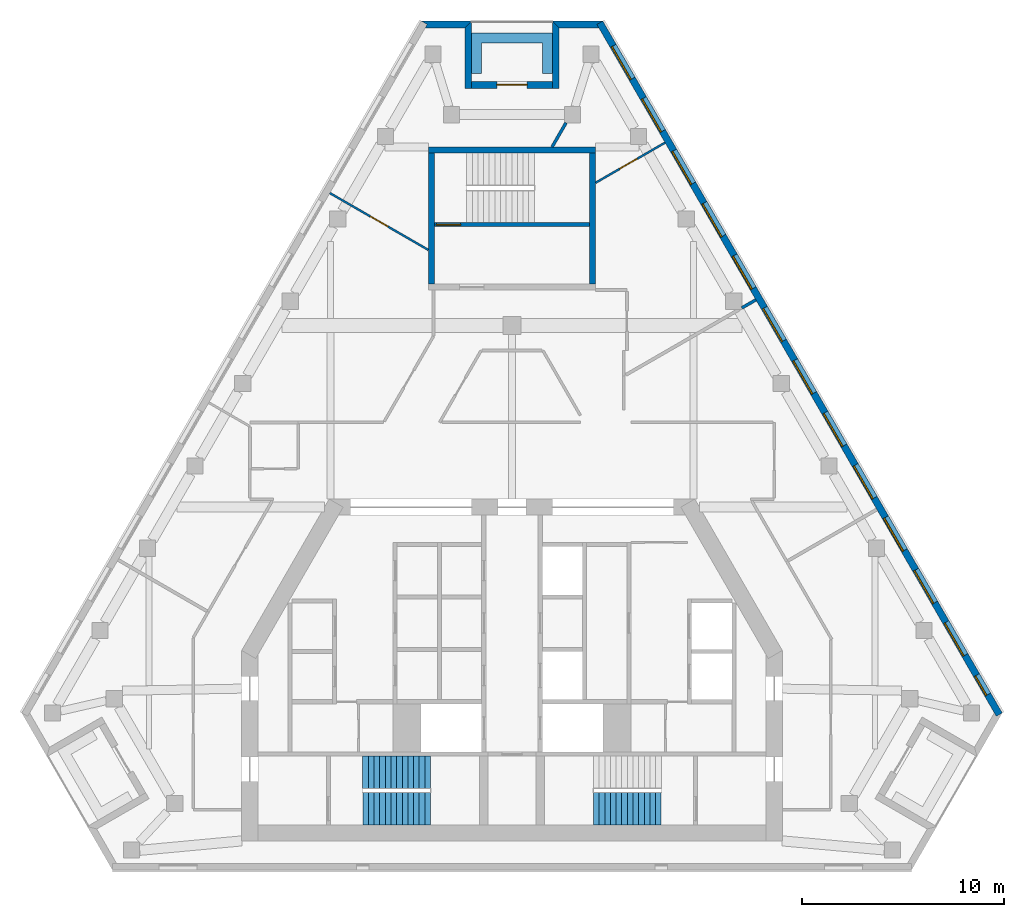
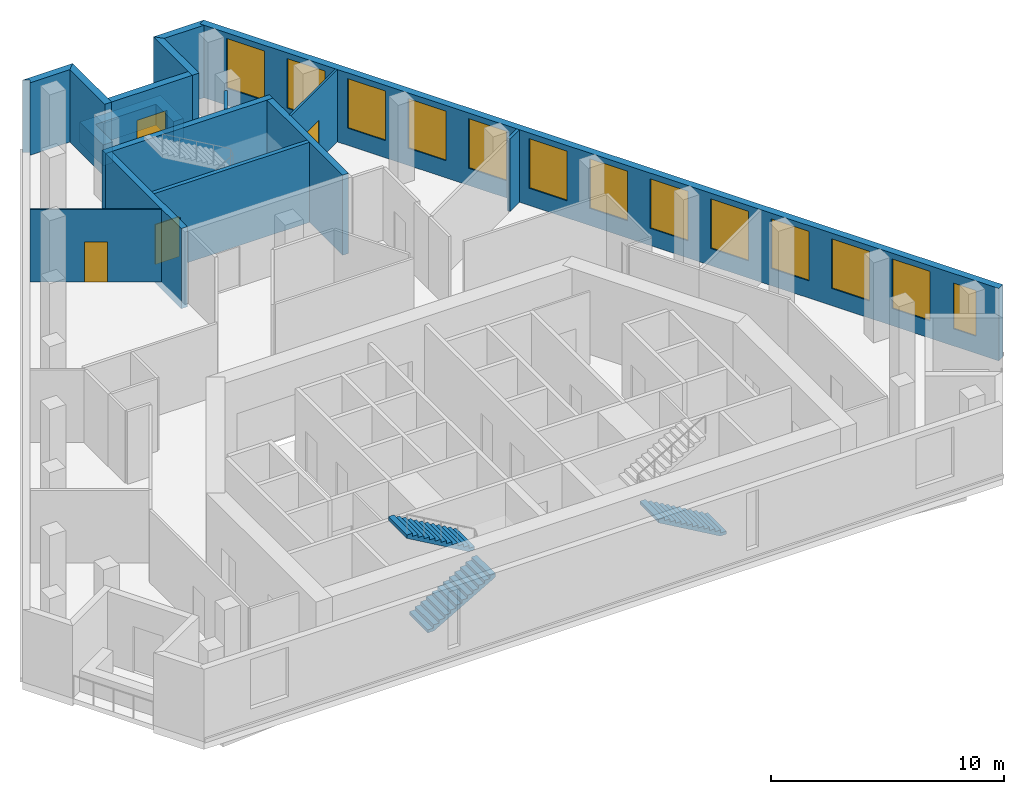
# One storey, part 6 of 8: 15 walls, 13 windows, 4 doors, 3 stair flights, 17 openings, 2 elements without a shape of their own.
"""IFC4 building model written with IfcOpenShell, lengths in metres."""

from ifc_helpers import new_model, si_unit, direction, frame, frame_2d, origin, place, context, subcontext, project, spatial, polyline, rectangle, outline, extrude, material, layer, layer_set, type_object, element, fill, aggregate, save


model = new_model("IFC4")

# Units and contexts
model_context = context("Model", 3, precision=1e-05, world=origin(), true_north=direction((0.0, 1.0)))
body_context = subcontext(model_context, "Body", "Model", "MODEL_VIEW")
ifc_project = project(units=[si_unit("LENGTHUNIT", "METRE"), si_unit("AREAUNIT", "SQUARE_METRE"), si_unit("VOLUMEUNIT", "CUBIC_METRE"), si_unit("PLANEANGLEUNIT", "RADIAN"), si_unit("MASSUNIT", "GRAM", prefix="KILO")], contexts=[model_context])

# Site, building, storey
site_placement = place(None, origin())
site = spatial("IfcSite", under=ifc_project, at=site_placement, CompositionType="ELEMENT")
building_placement = place(site_placement, origin())
building = spatial("IfcBuilding", under=site, at=building_placement, Name="Fogline Exchange Tower", CompositionType="ELEMENT")
storey_placement = place(building_placement, frame((0.0, 0.0, 322.5)))
storey = spatial("IfcBuildingStorey", under=building, at=storey_placement, Name="L73", CompositionType="ELEMENT", Elevation=322.5)

# Wall, opening, door
ifc_material_1 = material(Name="Concrete C40", Category="concrete")
ifc_layer_1 = layer(ifc_material_1, 0.199951171875)
ifc_layer_set_1 = layer_set([ifc_layer_1], Name="CW20R")
wall_type_1 = type_object("IfcWallType", Name="CW20R", PredefinedType="SOLIDWALL", material=ifc_layer_set_1)
wall_1_placement = place(storey_placement, frame((-3.85009765625, 32.007080078125, -0.39990234375), z_axis=(0.0, 0.0, 1.0), x_axis=(1.0, 0.0, 0.0)))
wall_1 = element("IfcWall", 1, at=wall_1_placement, inside=storey, type_object=wall_type_1, Name="Stair enclosure wall ST3", PredefinedType="SOLIDWALL", context=body_context, shape_type="SweptSolid", body=[
    extrude(rectangle(XDim=7.7001953125, YDim=0.199951171875, at=frame_2d((3.85009765625, 0.0))), origin(), (0.0, 0.0, 1.0), 4.199951171875),
])
opening_1_placement = place(wall_1_placement, frame((0.10009765625, 0.0, 0.39990234375)))
opening_1 = element("IfcOpeningElement", 2, at=opening_1_placement, cuts=wall_1, Name="Opening T23-C027", PredefinedType="OPENING", context=body_context, shape_type="SweptSolid", body=[
    extrude(rectangle(XDim=1.199951171875, YDim=2.10009765625, at=frame_2d((0.60009765625, 1.050048828125))), frame((0.0, 0.10986328125, 0.0), z_axis=(0.0, -1.0, 0.0), x_axis=(1.0, 0.0, 0.0)), (0.0, 0.0, 1.0), 0.219970703125),
])
ifc_material_2 = material(Name="Steel and timber fire door", Category="steel")
door_type_1 = type_object("IfcDoorType", Name="D-ST1", OperationType="SINGLE_SWING_LEFT", PredefinedType="DOOR", material=ifc_material_2)
door_1_placement = place(opening_1_placement, origin())
door_1 = element("IfcDoor", 3, at=door_1_placement, inside=storey, type_object=door_type_1, Name="Stair door ST3", OperationType="SINGLE_SWING_LEFT", OverallHeight=2.10009765625, OverallWidth=1.199951171875, PredefinedType="DOOR", context=body_context, shape_type="SweptSolid", body=[
    extrude(rectangle(XDim=1.199951171875, YDim=2.10009765625, at=frame_2d((0.60009765625, 1.050048828125))), frame((0.0, 0.02490234375, 0.0), z_axis=(0.0, -1.0, 0.0), x_axis=(1.0, 0.0, 0.0)), (0.0, 0.0, 1.0), 0.050048828125),
])
fill(opening_1, door_1)

# Walls
ifc_layer_2 = layer(ifc_material_1, 0.300048828125)
ifc_layer_set_2 = layer_set([ifc_layer_2], Name="CW30")
wall_type_2 = type_object("IfcWallType", Name="CW30", PredefinedType="SOLIDWALL", material=ifc_layer_set_2)
wall_2_placement = place(storey_placement, frame((-4.14990234375, 35.70703125, -0.39990234375), z_axis=(0.0, 0.0, 1.0), x_axis=(1.0, 0.0, 0.0)))
element("IfcWall", 4, at=wall_2_placement, inside=storey, type_object=wall_type_2, Name="Stair enclosure wall ST3", PredefinedType="SOLIDWALL", context=body_context, shape_type="SweptSolid", body=[
    extrude(rectangle(XDim=8.2998046875, YDim=0.300048828125, at=frame_2d((4.14990234375, 0.0))), origin(), (0.0, 0.0, 1.0), 4.199951171875),
])
for number, where, z_axis, x_axis, name in (
    (5, (-4.0, 29.056884765625, -0.39990234375), (0.0, 0.0, 1.0), (0.0, 1.0, 0.0), "Stair enclosure wall ST3"),
    (6, (4.0, 29.056884765625, -0.39990234375), (0.0, 0.0, 1.0), (0.0, 1.0, 0.0), "Stair enclosure wall ST3"),
):
    element("IfcWall", number, at=place(storey_placement, frame(where, z_axis=z_axis, x_axis=x_axis)), inside=storey, type_object=wall_type_2, Name=name, PredefinedType="SOLIDWALL", context=body_context, shape_type="SweptSolid", body=[
        extrude(rectangle(XDim=6.5, YDim=0.300048828125, at=frame_2d((3.25, 0.0))), origin(), (0.0, 0.0, 1.0), 4.199951171875),
    ])

# Wall, openings, windows
ifc_material_3 = material(Name="Brick masonry", Category="masonry")
ifc_layer_3 = layer(ifc_material_3, 0.340087890625)
ifc_layer_set_3 = layer_set([ifc_layer_3], Name="FW1")
wall_type_3 = type_object("IfcWallType", Name="FW1", PredefinedType="SOLIDWALL", material=ifc_layer_set_3)
wall_3_placement = place(storey_placement, frame((24.16015625, 7.709228515625, 0.0), z_axis=(0.0, 0.0, 1.0), x_axis=(-0.500000037544, 0.866025382108, 0.0)))
wall_3 = element("IfcWall", 7, at=wall_3_placement, inside=storey, type_object=wall_type_3, Name="Brick wall L73 E", PredefinedType="SOLIDWALL", context=body_context, shape_type="SweptSolid", body=[
    extrude(rectangle(XDim=39.61474609375, YDim=0.340087890625, at=frame_2d((19.807373046875, 0.0))), origin(), (0.0, 0.0, 1.0), 3.800048828125),
])
opening_2_placement = place(wall_3_placement, frame((3.40380859375, 0.0, 0.89990234375)))
opening_2 = element("IfcOpeningElement", 8, at=opening_2_placement, cuts=wall_3, Name="Opening W3", PredefinedType="OPENING", context=body_context, shape_type="SweptSolid", body=[
    extrude(rectangle(XDim=1.885009765625, YDim=2.60009765625, at=frame_2d((0.9423828125, 1.300048828125))), frame((0.0, 0.18017578125, 0.0), z_axis=(0.0, -1.0, 0.0), x_axis=(1.0, 0.0, 0.0)), (0.0, 0.0, 1.0), 0.360107421875),
])
opening_3_placement = place(wall_3_placement, frame((6.40380859375, 0.0, 0.89990234375)))
opening_3 = element("IfcOpeningElement", 9, at=opening_3_placement, cuts=wall_3, Name="Opening W3", PredefinedType="OPENING", context=body_context, shape_type="SweptSolid", body=[
    extrude(rectangle(XDim=1.885009765625, YDim=2.60009765625, at=frame_2d((0.9423828125, 1.300048828125))), frame((0.0, 0.18017578125, 0.0), z_axis=(0.0, -1.0, 0.0), x_axis=(1.0, 0.0, 0.0)), (0.0, 0.0, 1.0), 0.360107421875),
])
opening_4_placement = place(wall_3_placement, frame((9.40380859375, 0.0, 0.89990234375)))
opening_4 = element("IfcOpeningElement", 10, at=opening_4_placement, cuts=wall_3, Name="Opening W3", PredefinedType="OPENING", context=body_context, shape_type="SweptSolid", body=[
    extrude(rectangle(XDim=1.885009765625, YDim=2.60009765625, at=frame_2d((0.9423828125, 1.300048828125))), frame((0.0, 0.18017578125, 0.0), z_axis=(0.0, -1.0, 0.0), x_axis=(1.0, 0.0, 0.0)), (0.0, 0.0, 1.0), 0.360107421875),
])
opening_5_placement = place(wall_3_placement, frame((12.40380859375, 0.0, 0.89990234375)))
opening_5 = element("IfcOpeningElement", 11, at=opening_5_placement, cuts=wall_3, Name="Opening W3", PredefinedType="OPENING", context=body_context, shape_type="SweptSolid", body=[
    extrude(rectangle(XDim=1.885009765625, YDim=2.60009765625, at=frame_2d((0.9423828125, 1.300048828125))), frame((0.0, 0.18017578125, 0.0), z_axis=(0.0, -1.0, 0.0), x_axis=(1.0, 0.0, 0.0)), (0.0, 0.0, 1.0), 0.360107421875),
])
opening_6_placement = place(wall_3_placement, frame((15.40380859375, 0.0, 0.89990234375)))
opening_6 = element("IfcOpeningElement", 12, at=opening_6_placement, cuts=wall_3, Name="Opening W3", PredefinedType="OPENING", context=body_context, shape_type="SweptSolid", body=[
    extrude(rectangle(XDim=1.885009765625, YDim=2.60009765625, at=frame_2d((0.9423828125, 1.300048828125))), frame((0.0, 0.18017578125, 0.0), z_axis=(0.0, -1.0, 0.0), x_axis=(1.0, 0.0, 0.0)), (0.0, 0.0, 1.0), 0.360107421875),
])
opening_7_placement = place(wall_3_placement, frame((18.40380859375, 0.0, 0.89990234375)))
opening_7 = element("IfcOpeningElement", 13, at=opening_7_placement, cuts=wall_3, Name="Opening W3", PredefinedType="OPENING", context=body_context, shape_type="SweptSolid", body=[
    extrude(rectangle(XDim=1.885009765625, YDim=2.60009765625, at=frame_2d((0.9423828125, 1.300048828125))), frame((0.0, 0.18017578125, 0.0), z_axis=(0.0, -1.0, 0.0), x_axis=(1.0, 0.0, 0.0)), (0.0, 0.0, 1.0), 0.360107421875),
])
opening_8_placement = place(wall_3_placement, frame((21.40380859375, 0.0, 0.89990234375)))
opening_8 = element("IfcOpeningElement", 14, at=opening_8_placement, cuts=wall_3, Name="Opening W3", PredefinedType="OPENING", context=body_context, shape_type="SweptSolid", body=[
    extrude(rectangle(XDim=1.885009765625, YDim=2.60009765625, at=frame_2d((0.9423828125, 1.300048828125))), frame((0.0, 0.18017578125, 0.0), z_axis=(0.0, -1.0, 0.0), x_axis=(1.0, 0.0, 0.0)), (0.0, 0.0, 1.0), 0.360107421875),
])
opening_9_placement = place(wall_3_placement, frame((24.40380859375, 0.0, 0.89990234375)))
opening_9 = element("IfcOpeningElement", 15, at=opening_9_placement, cuts=wall_3, Name="Opening W3", PredefinedType="OPENING", context=body_context, shape_type="SweptSolid", body=[
    extrude(rectangle(XDim=1.885009765625, YDim=2.60009765625, at=frame_2d((0.9423828125, 1.300048828125))), frame((0.0, 0.18017578125, 0.0), z_axis=(0.0, -1.0, 0.0), x_axis=(1.0, 0.0, 0.0)), (0.0, 0.0, 1.0), 0.360107421875),
])
opening_10_placement = place(wall_3_placement, frame((27.40380859375, 0.0, 0.89990234375)))
opening_10 = element("IfcOpeningElement", 16, at=opening_10_placement, cuts=wall_3, Name="Opening W3", PredefinedType="OPENING", context=body_context, shape_type="SweptSolid", body=[
    extrude(rectangle(XDim=1.885009765625, YDim=2.60009765625, at=frame_2d((0.9423828125, 1.300048828125))), frame((0.0, 0.18017578125, 0.0), z_axis=(0.0, -1.0, 0.0), x_axis=(1.0, 0.0, 0.0)), (0.0, 0.0, 1.0), 0.360107421875),
])
opening_11_placement = place(wall_3_placement, frame((30.40380859375, 0.0, 0.89990234375)))
opening_11 = element("IfcOpeningElement", 17, at=opening_11_placement, cuts=wall_3, Name="Opening W3", PredefinedType="OPENING", context=body_context, shape_type="SweptSolid", body=[
    extrude(rectangle(XDim=1.885009765625, YDim=2.60009765625, at=frame_2d((0.9423828125, 1.300048828125))), frame((0.0, 0.18017578125, 0.0), z_axis=(0.0, -1.0, 0.0), x_axis=(1.0, 0.0, 0.0)), (0.0, 0.0, 1.0), 0.360107421875),
])
opening_12_placement = place(wall_3_placement, frame((33.40380859375, 0.0, 0.89990234375)))
opening_12 = element("IfcOpeningElement", 18, at=opening_12_placement, cuts=wall_3, Name="Opening W3", PredefinedType="OPENING", context=body_context, shape_type="SweptSolid", body=[
    extrude(rectangle(XDim=1.885009765625, YDim=2.60009765625, at=frame_2d((0.9423828125, 1.300048828125))), frame((0.0, 0.18017578125, 0.0), z_axis=(0.0, -1.0, 0.0), x_axis=(1.0, 0.0, 0.0)), (0.0, 0.0, 1.0), 0.360107421875),
])
opening_13_placement = place(wall_3_placement, frame((36.40380859375, 0.0, 0.89990234375)))
opening_13 = element("IfcOpeningElement", 19, at=opening_13_placement, cuts=wall_3, Name="Opening W3", PredefinedType="OPENING", context=body_context, shape_type="SweptSolid", body=[
    extrude(rectangle(XDim=1.885009765625, YDim=2.60009765625, at=frame_2d((0.9423828125, 1.300048828125))), frame((0.0, 0.18017578125, 0.0), z_axis=(0.0, -1.0, 0.0), x_axis=(1.0, 0.0, 0.0)), (0.0, 0.0, 1.0), 0.360107421875),
])
opening_14_placement = place(wall_3_placement, frame((1.144287109375, 0.0, 0.89990234375)))
opening_14 = element("IfcOpeningElement", 20, at=opening_14_placement, cuts=wall_3, Name="Opening W4", PredefinedType="OPENING", context=body_context, shape_type="SweptSolid", body=[
    extrude(rectangle(XDim=1.114990234375, YDim=2.39990234375, at=frame_2d((0.5576171875, 1.199951171875))), frame((0.0, 0.18017578125, 0.0), z_axis=(0.0, -1.0, 0.0), x_axis=(1.0, 0.0, 0.0)), (0.0, 0.0, 1.0), 0.360107421875),
])
ifc_material_4 = material(Name="Aluminium and glass", Category="aluminium")
window_type_1 = type_object("IfcWindowType", Name="W3", PartitioningType="SINGLE_PANEL", PredefinedType="WINDOW", material=ifc_material_4)
window_1_placement = place(opening_2_placement, origin())
window_1 = element("IfcWindow", 21, at=window_1_placement, inside=storey, type_object=window_type_1, Name="W3 W3", OverallHeight=2.60009765625, OverallWidth=1.885009765625, PartitioningType="SINGLE_PANEL", PredefinedType="WINDOW", context=body_context, shape_type="SweptSolid", body=[
    extrude(rectangle(XDim=1.885009765625, YDim=2.60009765625, at=frame_2d((0.9423828125, 1.300048828125))), frame((0.0, 0.110107421875, 0.0), z_axis=(0.0, -1.0, 0.0), x_axis=(1.0, 0.0, 0.0)), (0.0, 0.0, 1.0), 0.06005859375),
])
fill(opening_2, window_1)
window_2_placement = place(opening_3_placement, origin())
window_2 = element("IfcWindow", 22, at=window_2_placement, inside=storey, type_object=window_type_1, Name="W3 W3", OverallHeight=2.60009765625, OverallWidth=1.885009765625, PartitioningType="SINGLE_PANEL", PredefinedType="WINDOW", context=body_context, shape_type="SweptSolid", body=[
    extrude(rectangle(XDim=1.885009765625, YDim=2.60009765625, at=frame_2d((0.9423828125, 1.300048828125))), frame((0.0, 0.110107421875, 0.0), z_axis=(0.0, -1.0, 0.0), x_axis=(1.0, 0.0, 0.0)), (0.0, 0.0, 1.0), 0.06005859375),
])
fill(opening_3, window_2)
window_3_placement = place(opening_4_placement, origin())
window_3 = element("IfcWindow", 23, at=window_3_placement, inside=storey, type_object=window_type_1, Name="W3 W3", OverallHeight=2.60009765625, OverallWidth=1.885009765625, PartitioningType="SINGLE_PANEL", PredefinedType="WINDOW", context=body_context, shape_type="SweptSolid", body=[
    extrude(rectangle(XDim=1.885009765625, YDim=2.60009765625, at=frame_2d((0.9423828125, 1.300048828125))), frame((0.0, 0.110107421875, 0.0), z_axis=(0.0, -1.0, 0.0), x_axis=(1.0, 0.0, 0.0)), (0.0, 0.0, 1.0), 0.06005859375),
])
fill(opening_4, window_3)
window_4_placement = place(opening_5_placement, origin())
window_4 = element("IfcWindow", 24, at=window_4_placement, inside=storey, type_object=window_type_1, Name="W3 W3", OverallHeight=2.60009765625, OverallWidth=1.885009765625, PartitioningType="SINGLE_PANEL", PredefinedType="WINDOW", context=body_context, shape_type="SweptSolid", body=[
    extrude(rectangle(XDim=1.885009765625, YDim=2.60009765625, at=frame_2d((0.9423828125, 1.300048828125))), frame((0.0, 0.110107421875, 0.0), z_axis=(0.0, -1.0, 0.0), x_axis=(1.0, 0.0, 0.0)), (0.0, 0.0, 1.0), 0.06005859375),
])
fill(opening_5, window_4)
window_5_placement = place(opening_6_placement, origin())
window_5 = element("IfcWindow", 25, at=window_5_placement, inside=storey, type_object=window_type_1, Name="W3 W3", OverallHeight=2.60009765625, OverallWidth=1.885009765625, PartitioningType="SINGLE_PANEL", PredefinedType="WINDOW", context=body_context, shape_type="SweptSolid", body=[
    extrude(rectangle(XDim=1.885009765625, YDim=2.60009765625, at=frame_2d((0.9423828125, 1.300048828125))), frame((0.0, 0.110107421875, 0.0), z_axis=(0.0, -1.0, 0.0), x_axis=(1.0, 0.0, 0.0)), (0.0, 0.0, 1.0), 0.06005859375),
])
fill(opening_6, window_5)
window_6_placement = place(opening_7_placement, origin())
window_6 = element("IfcWindow", 26, at=window_6_placement, inside=storey, type_object=window_type_1, Name="W3 W3", OverallHeight=2.60009765625, OverallWidth=1.885009765625, PartitioningType="SINGLE_PANEL", PredefinedType="WINDOW", context=body_context, shape_type="SweptSolid", body=[
    extrude(rectangle(XDim=1.885009765625, YDim=2.60009765625, at=frame_2d((0.9423828125, 1.300048828125))), frame((0.0, 0.110107421875, 0.0), z_axis=(0.0, -1.0, 0.0), x_axis=(1.0, 0.0, 0.0)), (0.0, 0.0, 1.0), 0.06005859375),
])
fill(opening_7, window_6)
window_7_placement = place(opening_8_placement, origin())
window_7 = element("IfcWindow", 27, at=window_7_placement, inside=storey, type_object=window_type_1, Name="W3 W3", OverallHeight=2.60009765625, OverallWidth=1.885009765625, PartitioningType="SINGLE_PANEL", PredefinedType="WINDOW", context=body_context, shape_type="SweptSolid", body=[
    extrude(rectangle(XDim=1.885009765625, YDim=2.60009765625, at=frame_2d((0.9423828125, 1.300048828125))), frame((0.0, 0.110107421875, 0.0), z_axis=(0.0, -1.0, 0.0), x_axis=(1.0, 0.0, 0.0)), (0.0, 0.0, 1.0), 0.06005859375),
])
fill(opening_8, window_7)
window_8_placement = place(opening_9_placement, origin())
window_8 = element("IfcWindow", 28, at=window_8_placement, inside=storey, type_object=window_type_1, Name="W3 W3", OverallHeight=2.60009765625, OverallWidth=1.885009765625, PartitioningType="SINGLE_PANEL", PredefinedType="WINDOW", context=body_context, shape_type="SweptSolid", body=[
    extrude(rectangle(XDim=1.885009765625, YDim=2.60009765625, at=frame_2d((0.9423828125, 1.300048828125))), frame((0.0, 0.110107421875, 0.0), z_axis=(0.0, -1.0, 0.0), x_axis=(1.0, 0.0, 0.0)), (0.0, 0.0, 1.0), 0.06005859375),
])
fill(opening_9, window_8)
window_9_placement = place(opening_10_placement, origin())
window_9 = element("IfcWindow", 29, at=window_9_placement, inside=storey, type_object=window_type_1, Name="W3 W3", OverallHeight=2.60009765625, OverallWidth=1.885009765625, PartitioningType="SINGLE_PANEL", PredefinedType="WINDOW", context=body_context, shape_type="SweptSolid", body=[
    extrude(rectangle(XDim=1.885009765625, YDim=2.60009765625, at=frame_2d((0.9423828125, 1.300048828125))), frame((0.0, 0.110107421875, 0.0), z_axis=(0.0, -1.0, 0.0), x_axis=(1.0, 0.0, 0.0)), (0.0, 0.0, 1.0), 0.06005859375),
])
fill(opening_10, window_9)
window_10_placement = place(opening_11_placement, origin())
window_10 = element("IfcWindow", 30, at=window_10_placement, inside=storey, type_object=window_type_1, Name="W3 W3", OverallHeight=2.60009765625, OverallWidth=1.885009765625, PartitioningType="SINGLE_PANEL", PredefinedType="WINDOW", context=body_context, shape_type="SweptSolid", body=[
    extrude(rectangle(XDim=1.885009765625, YDim=2.60009765625, at=frame_2d((0.9423828125, 1.300048828125))), frame((0.0, 0.110107421875, 0.0), z_axis=(0.0, -1.0, 0.0), x_axis=(1.0, 0.0, 0.0)), (0.0, 0.0, 1.0), 0.06005859375),
])
fill(opening_11, window_10)
window_11_placement = place(opening_12_placement, origin())
window_11 = element("IfcWindow", 31, at=window_11_placement, inside=storey, type_object=window_type_1, Name="W3 W3", OverallHeight=2.60009765625, OverallWidth=1.885009765625, PartitioningType="SINGLE_PANEL", PredefinedType="WINDOW", context=body_context, shape_type="SweptSolid", body=[
    extrude(rectangle(XDim=1.885009765625, YDim=2.60009765625, at=frame_2d((0.9423828125, 1.300048828125))), frame((0.0, 0.110107421875, 0.0), z_axis=(0.0, -1.0, 0.0), x_axis=(1.0, 0.0, 0.0)), (0.0, 0.0, 1.0), 0.06005859375),
])
fill(opening_12, window_11)
window_12_placement = place(opening_13_placement, origin())
window_12 = element("IfcWindow", 32, at=window_12_placement, inside=storey, type_object=window_type_1, Name="W3 W3", OverallHeight=2.60009765625, OverallWidth=1.885009765625, PartitioningType="SINGLE_PANEL", PredefinedType="WINDOW", context=body_context, shape_type="SweptSolid", body=[
    extrude(rectangle(XDim=1.885009765625, YDim=2.60009765625, at=frame_2d((0.9423828125, 1.300048828125))), frame((0.0, 0.110107421875, 0.0), z_axis=(0.0, -1.0, 0.0), x_axis=(1.0, 0.0, 0.0)), (0.0, 0.0, 1.0), 0.06005859375),
])
fill(opening_13, window_12)
window_type_2 = type_object("IfcWindowType", Name="W4", PartitioningType="SINGLE_PANEL", PredefinedType="WINDOW", material=ifc_material_4)
window_13_placement = place(opening_14_placement, origin())
window_13 = element("IfcWindow", 33, at=window_13_placement, inside=storey, type_object=window_type_2, Name="W4 W4", OverallHeight=2.39990234375, OverallWidth=1.114990234375, PartitioningType="SINGLE_PANEL", PredefinedType="WINDOW", context=body_context, shape_type="SweptSolid", body=[
    extrude(rectangle(XDim=1.114990234375, YDim=2.39990234375, at=frame_2d((0.5576171875, 1.199951171875))), frame((0.0, 0.110107421875, 0.0), z_axis=(0.0, -1.0, 0.0), x_axis=(1.0, 0.0, 0.0)), (0.0, 0.0, 1.0), 0.06005859375),
])
fill(opening_14, window_13)

# Walls
wall_4_placement = place(storey_placement, origin())
element("IfcWall", 34, at=wall_4_placement, inside=storey, type_object=wall_type_3, Name="Brick wall L73 N-c1", PredefinedType="SOLIDWALL", context=body_context, shape_type="SweptSolid", body=[
    extrude(outline(polyline([(1.9990234375, 42.102294921875), (4.5009765625, 42.102294921875), (4.501220703125, 42.1015625), (4.206298828125, 41.931396484375), (4.3046875, 41.760986328125), (2.33984375, 41.760986328125), (1.998779296875, 42.10205078125), (1.9990234375, 42.102294921875)])), origin(), (0.0, 0.0, 1.0), 3.800048828125),
])
wall_5_placement = place(storey_placement, origin())
element("IfcWall", 35, at=wall_5_placement, inside=storey, type_object=wall_type_3, Name="Brick wall L73 N-s1", PredefinedType="SOLIDWALL", context=body_context, shape_type="SweptSolid", body=[
    extrude(outline(polyline([(2.340576171875, 38.760986328125), (1.99951171875, 38.760986328125), (1.99951171875, 42.102783203125), (1.999755859375, 42.102783203125), (2.340576171875, 41.761962890625), (2.340576171875, 38.760986328125)])), origin(), (0.0, 0.0, 1.0), 3.800048828125),
])

# Wall, opening, door
wall_6_placement = place(storey_placement, frame((2.0, 38.931640625, 0.0), z_axis=(0.0, 0.0, 1.0), x_axis=(-1.0, 0.0, 0.0)))
wall_6 = element("IfcWall", 36, at=wall_6_placement, inside=storey, type_object=wall_type_3, Name="Brick wall L73 N-bk", PredefinedType="SOLIDWALL", context=body_context, shape_type="SweptSolid", body=[
    extrude(rectangle(XDim=4.0, YDim=0.340087890625, at=frame_2d((2.0, 0.0))), origin(), (0.0, 0.0, 1.0), 3.800048828125),
])
opening_15_placement = place(wall_6_placement, frame((1.25, 0.0, 0.0)))
opening_15 = element("IfcOpeningElement", 37, at=opening_15_placement, cuts=wall_6, Name="Opening T23-E141", PredefinedType="OPENING", context=body_context, shape_type="SweptSolid", body=[
    extrude(rectangle(XDim=1.5, YDim=2.39990234375, at=frame_2d((0.75, 1.199951171875))), frame((0.0, 0.18017578125, 0.0), z_axis=(0.0, -1.0, 0.0), x_axis=(1.0, 0.0, 0.0)), (0.0, 0.0, 1.0), 0.360107421875),
])
door_type_2 = type_object("IfcDoorType", Name="ED4", OperationType="SINGLE_SWING_LEFT", PredefinedType="DOOR", material=ifc_material_4)
door_2_placement = place(opening_15_placement, frame((1.5, 0.0, 0.0), z_axis=(0.0, 0.0, 1.0), x_axis=(-1.0, 0.0, 0.0)))
door_2 = element("IfcDoor", 38, at=door_2_placement, inside=storey, type_object=door_type_2, Name="Balcony door L73 N", OperationType="DOUBLE_DOOR_SINGLE_SWING", OverallHeight=2.39990234375, OverallWidth=1.5, PredefinedType="DOOR", context=body_context, shape_type="SweptSolid", body=[
    extrude(rectangle(XDim=1.5, YDim=2.39990234375, at=frame_2d((0.75, 1.199951171875))), frame((0.0, 0.02490234375, 0.0), z_axis=(0.0, -1.0, 0.0), x_axis=(1.0, 0.0, 0.0)), (0.0, 0.0, 1.0), 0.050048828125),
])
fill(opening_15, door_2)

# Walls
wall_7_placement = place(storey_placement, origin())
element("IfcWall", 39, at=wall_7_placement, inside=storey, type_object=wall_type_3, Name="Brick wall L73 N-s2", PredefinedType="SOLIDWALL", context=body_context, shape_type="SweptSolid", body=[
    extrude(outline(polyline([(-1.99951171875, 42.102783203125), (-1.99951171875, 38.760986328125), (-2.340576171875, 38.760986328125), (-2.340576171875, 41.761962890625), (-1.999755859375, 42.102783203125), (-1.99951171875, 42.102783203125)])), origin(), (0.0, 0.0, 1.0), 3.800048828125),
])
wall_8_placement = place(storey_placement, origin())
element("IfcWall", 40, at=wall_8_placement, inside=storey, type_object=wall_type_3, Name="Brick wall L73 N-c2", PredefinedType="SOLIDWALL", context=body_context, shape_type="SweptSolid", body=[
    extrude(outline(polyline([(-4.3046875, 41.760986328125), (-4.206298828125, 41.931396484375), (-4.501220703125, 42.1015625), (-4.5009765625, 42.102294921875), (-1.9990234375, 42.102294921875), (-1.998779296875, 42.10205078125), (-2.33984375, 41.760986328125), (-4.3046875, 41.760986328125)])), origin(), (0.0, 0.0, 1.0), 3.800048828125),
])
ifc_material_5 = material(Name="Concrete C30", Category="concrete")
ifc_layer_4 = layer(ifc_material_5, 0.199951171875)
ifc_layer_set_4 = layer_set([ifc_layer_4], Name="PL1")
wall_type_4 = type_object("IfcWallType", Name="PL1", PredefinedType="USERDEFINED", material=ifc_layer_set_4)
wall_9_placement = place(storey_placement, origin())
element("IfcWall", 41, at=wall_9_placement, inside=storey, type_object=wall_type_4, Name="PLANTER balcony L73 N", ObjectType="PLANTER", PredefinedType="USERDEFINED", context=body_context, shape_type="SweptSolid", body=[
    extrude(outline(polyline([(-1.5, 41.501708984375), (-2.0, 41.501708984375), (-2.0, 41.001708984375), (-2.0, 39.501708984375), (-1.5, 39.501708984375), (-1.5, 41.001708984375), (1.5, 41.001708984375), (1.5, 39.501708984375), (2.0, 39.501708984375), (2.0, 41.001708984375), (2.0, 41.501708984375), (1.5, 41.501708984375), (-1.5, 41.501708984375)])), origin(), (0.0, 0.0, 1.0), 1.10009765625),
])

# Wall, opening, door
ifc_material_6 = material(Name="Plasterboard partition, 2 layers each side on steel studs", Category="steel")
ifc_layer_5 = layer(ifc_material_6, 0.10009765625)
ifc_layer_set_5 = layer_set([ifc_layer_5], Name="PW1")
wall_type_5 = type_object("IfcWallType", Name="PW1", PredefinedType="PARTITIONING", material=ifc_layer_set_5)
wall_10_placement = place(storey_placement, frame((4.14990234375, 34.083984375, 0.0), z_axis=(0.0, 0.0, 1.0), x_axis=(0.86604843292, 0.499960110246, 0.0)))
wall_10 = element("IfcWall", 42, at=wall_10_placement, inside=storey, type_object=wall_type_5, Name="wall-L73-W030", PredefinedType="PARTITIONING", context=body_context, shape_type="SweptSolid", body=[
    extrude(rectangle(XDim=3.971923828125, YDim=0.10009765625, at=frame_2d((1.98583984375, 0.0))), origin(), (0.0, 0.0, 1.0), 3.800048828125),
])
opening_16_placement = place(wall_10_placement, frame((1.37353515625, 0.0, 0.0)))
opening_16 = element("IfcOpeningElement", 43, at=opening_16_placement, cuts=wall_10, Name="Opening T23-D009", PredefinedType="OPENING", context=body_context, shape_type="SweptSolid", body=[
    extrude(rectangle(XDim=1.0, YDim=2.10009765625, at=frame_2d((0.5, 1.050048828125))), frame((0.0, 0.06005859375, 0.0), z_axis=(0.0, -1.0, 0.0), x_axis=(1.0, 0.0, 0.0)), (0.0, 0.0, 1.0), 0.1201171875),
])
ifc_material_7 = material(Name="Timber door leaf with steel frame", Category="steel")
door_type_3 = type_object("IfcDoorType", Name="D1", OperationType="SINGLE_SWING_LEFT", PredefinedType="DOOR", material=ifc_material_7)
door_3_placement = place(opening_16_placement, origin())
door_3 = element("IfcDoor", 44, at=door_3_placement, inside=storey, type_object=door_type_3, Name="door-L73-D009", OperationType="SINGLE_SWING_LEFT", OverallHeight=2.10009765625, OverallWidth=1.0, PredefinedType="DOOR", context=body_context, shape_type="SweptSolid", body=[
    extrude(rectangle(XDim=1.0, YDim=2.10009765625, at=frame_2d((0.5, 1.050048828125))), frame((0.0, 0.02490234375, 0.0), z_axis=(0.0, -1.0, 0.0), x_axis=(1.0, 0.0, 0.0)), (0.0, 0.0, 1.0), 0.050048828125),
])
fill(opening_16, door_3)

wall_11_placement = place(storey_placement, frame((-4.14990234375, 30.752685546875, 0.0), z_axis=(0.0, 0.0, 1.0), x_axis=(-0.866052180338, 0.499953618781, 0.0)))
wall_11 = element("IfcWall", 45, at=wall_11_placement, inside=storey, type_object=wall_type_5, Name="wall-L73-W032", PredefinedType="PARTITIONING", context=body_context, shape_type="SweptSolid", body=[
    extrude(rectangle(XDim=5.6376953125, YDim=0.10009765625, at=frame_2d((2.81884765625, 0.0))), origin(), (0.0, 0.0, 1.0), 3.800048828125),
])
opening_17_placement = place(wall_11_placement, frame((2.31884765625, 0.0, 0.0)))
opening_17 = element("IfcOpeningElement", 46, at=opening_17_placement, cuts=wall_11, Name="Opening T23-D010", PredefinedType="OPENING", context=body_context, shape_type="SweptSolid", body=[
    extrude(rectangle(XDim=1.0, YDim=2.10009765625, at=frame_2d((0.5, 1.050048828125))), frame((0.0, 0.06005859375, 0.0), z_axis=(0.0, -1.0, 0.0), x_axis=(1.0, 0.0, 0.0)), (0.0, 0.0, 1.0), 0.1201171875),
])
door_4_placement = place(opening_17_placement, frame((1.0, 0.0, 0.0), z_axis=(0.0, 0.0, 1.0), x_axis=(-1.0, 0.0, 0.0)))
door_4 = element("IfcDoor", 47, at=door_4_placement, inside=storey, type_object=door_type_3, Name="door-L73-D010", OperationType="SINGLE_SWING_RIGHT", OverallHeight=2.10009765625, OverallWidth=1.0, PredefinedType="DOOR", context=body_context, shape_type="SweptSolid", body=[
    extrude(rectangle(XDim=1.0, YDim=2.10009765625, at=frame_2d((0.5, 1.050048828125))), frame((0.0, 0.02490234375, 0.0), z_axis=(0.0, -1.0, 0.0), x_axis=(1.0, 0.0, 0.0)), (0.0, 0.0, 1.0), 0.050048828125),
])
fill(opening_17, door_4)

# Walls
ifc_material_8 = material(Name="Plasterboard demising partition with mineral wool and acoustic board")
ifc_layer_6 = layer(ifc_material_8, 0.14990234375)
ifc_layer_set_6 = layer_set([ifc_layer_6], Name="PW3")
wall_type_6 = type_object("IfcWallType", Name="PW3", PredefinedType="PARTITIONING", material=ifc_layer_set_6)
wall_12_placement = place(storey_placement, frame((11.394287109375, 27.8740234375, 0.0), z_axis=(0.0, 0.0, 1.0), x_axis=(0.866008413041, 0.500029427677, 0.0)))
element("IfcWall", 48, at=wall_12_placement, inside=storey, type_object=wall_type_6, Name="wall-L73-W028", PredefinedType="PARTITIONING", context=body_context, shape_type="SweptSolid", body=[
    extrude(rectangle(XDim=0.80322265625, YDim=0.14990234375, at=frame_2d((0.401611328125, 0.0))), origin(), (0.0, 0.0, 1.0), 3.800048828125),
])
wall_13_placement = place(storey_placement, frame((1.98681640625, 35.85693359375, 0.0), z_axis=(0.0, 0.0, 1.0), x_axis=(0.499986884831, 0.866032975699, 0.0)))
element("IfcWall", 49, at=wall_13_placement, inside=storey, type_object=wall_type_6, Name="wall-L73-W031", PredefinedType="PARTITIONING", context=body_context, shape_type="SweptSolid", body=[
    extrude(rectangle(XDim=1.38525390625, YDim=0.14990234375, at=frame_2d((0.692626953125, 0.0))), origin(), (0.0, 0.0, 1.0), 3.800048828125),
])

# Stair, stair flights
stair_type = type_object("IfcStairType", Name="STR26-1615", PredefinedType="HALF_TURN_STAIR", material=ifc_material_1)
stair_1_placement = place(storey_placement, origin())
stair_1 = element("IfcStair", 50, at=stair_1_placement, inside=storey, type_object=stair_type, Name="Stair ST1", PredefinedType="HALF_TURN_STAIR")
stair_flight_type = type_object("IfcStairFlightType", Name="SF13-1615", PredefinedType="STRAIGHT", material=ifc_material_1)
stair_flight_1_placement = place(storey_placement, frame((-7.39990234375, 3.050048828125, 0.0), z_axis=(0.0, 0.0, 1.0), x_axis=(1.0, 0.0, 0.0)))
stair_flight_1 = element("IfcStairFlight", 51, at=stair_flight_1_placement, type_object=stair_flight_type, Name="ST1 flight 1", NumberOfRisers=13, NumberOfTreads=12, PredefinedType="STRAIGHT", RiserHeight=0.161538462, TreadLength=0.28, context=body_context, shape_type="SweptSolid", body=[
    extrude(outline(polyline([(0.0, 0.0), (0.0, 0.16162109375), (0.280029296875, 0.16162109375), (0.280029296875, 0.322998046875), (0.56005859375, 0.322998046875), (0.56005859375, 0.484619140625), (0.840087890625, 0.484619140625), (0.840087890625, 0.646240234375), (1.1201171875, 0.646240234375), (1.1201171875, 0.8076171875), (1.39990234375, 0.8076171875), (1.39990234375, 0.96923828125), (1.679931640625, 0.96923828125), (1.679931640625, 1.130859375), (1.9599609375, 1.130859375), (1.9599609375, 1.292236328125), (2.239990234375, 1.292236328125), (2.239990234375, 1.453857421875), (2.52001953125, 1.453857421875), (2.52001953125, 1.615478515625), (2.800048828125, 1.615478515625), (2.800048828125, 1.77685546875), (3.080078125, 1.77685546875), (3.080078125, 1.9384765625), (3.360107421875, 1.9384765625), (3.360107421875, 2.10009765625), (3.360107421875, 1.765380859375), (0.300048828125, 0.0), (0.0, 0.0)])), frame((0.0, 0.800048828125, 0.0), z_axis=(0.0, -1.0, 0.0), x_axis=(1.0, 0.0, 0.0)), (0.0, 0.0, 1.0), 1.60009765625),
])
stair_flight_2_placement = place(storey_placement, frame((-4.0400390625, 4.85009765625, 2.10009765625), z_axis=(0.0, 0.0, 1.0), x_axis=(-1.0, 0.0, 0.0)))
stair_flight_2 = element("IfcStairFlight", 52, at=stair_flight_2_placement, type_object=stair_flight_type, Name="ST1 flight 2", NumberOfRisers=13, NumberOfTreads=12, PredefinedType="STRAIGHT", RiserHeight=0.161538462, TreadLength=0.28, context=body_context, shape_type="SweptSolid", body=[
    extrude(outline(polyline([(0.0, 0.0), (0.0, 0.16162109375), (0.280029296875, 0.16162109375), (0.280029296875, 0.322998046875), (0.56005859375, 0.322998046875), (0.56005859375, 0.484619140625), (0.840087890625, 0.484619140625), (0.840087890625, 0.646240234375), (1.1201171875, 0.646240234375), (1.1201171875, 0.8076171875), (1.39990234375, 0.8076171875), (1.39990234375, 0.96923828125), (1.679931640625, 0.96923828125), (1.679931640625, 1.130859375), (1.9599609375, 1.130859375), (1.9599609375, 1.292236328125), (2.239990234375, 1.292236328125), (2.239990234375, 1.453857421875), (2.52001953125, 1.453857421875), (2.52001953125, 1.615478515625), (2.800048828125, 1.615478515625), (2.800048828125, 1.77685546875), (3.080078125, 1.77685546875), (3.080078125, 1.9384765625), (3.360107421875, 1.9384765625), (3.360107421875, 2.10009765625), (3.360107421875, 1.765380859375), (0.300048828125, 0.0), (0.0, 0.0)])), frame((0.0, 0.800048828125, 0.0), z_axis=(0.0, -1.0, 0.0), x_axis=(1.0, 0.0, 0.0)), (0.0, 0.0, 1.0), 1.60009765625),
])
aggregate(stair_1, [stair_flight_1, stair_flight_2])

# Stair, stair flight
stair_2_placement = place(storey_placement, origin())
stair_2 = element("IfcStair", 53, at=stair_2_placement, inside=storey, type_object=stair_type, Name="Stair ST2", PredefinedType="HALF_TURN_STAIR")
stair_flight_3_placement = place(storey_placement, frame((7.39990234375, 3.050048828125, 0.0), z_axis=(0.0, 0.0, 1.0), x_axis=(-1.0, 0.0, 0.0)))
stair_flight_3 = element("IfcStairFlight", 54, at=stair_flight_3_placement, type_object=stair_flight_type, Name="ST2 flight 1", NumberOfRisers=13, NumberOfTreads=12, PredefinedType="STRAIGHT", RiserHeight=0.161538462, TreadLength=0.28, context=body_context, shape_type="SweptSolid", body=[
    extrude(outline(polyline([(0.0, 0.0), (0.0, 0.16162109375), (0.280029296875, 0.16162109375), (0.280029296875, 0.322998046875), (0.56005859375, 0.322998046875), (0.56005859375, 0.484619140625), (0.840087890625, 0.484619140625), (0.840087890625, 0.646240234375), (1.1201171875, 0.646240234375), (1.1201171875, 0.8076171875), (1.39990234375, 0.8076171875), (1.39990234375, 0.96923828125), (1.679931640625, 0.96923828125), (1.679931640625, 1.130859375), (1.9599609375, 1.130859375), (1.9599609375, 1.292236328125), (2.239990234375, 1.292236328125), (2.239990234375, 1.453857421875), (2.52001953125, 1.453857421875), (2.52001953125, 1.615478515625), (2.800048828125, 1.615478515625), (2.800048828125, 1.77685546875), (3.080078125, 1.77685546875), (3.080078125, 1.9384765625), (3.360107421875, 1.9384765625), (3.360107421875, 2.10009765625), (3.360107421875, 1.765380859375), (0.300048828125, 0.0), (0.0, 0.0)])), frame((0.0, 0.800048828125, 0.0), z_axis=(0.0, -1.0, 0.0), x_axis=(1.0, 0.0, 0.0)), (0.0, 0.0, 1.0), 1.60009765625),
])
aggregate(stair_2, [stair_flight_3])

save(model, "model.ifc")
